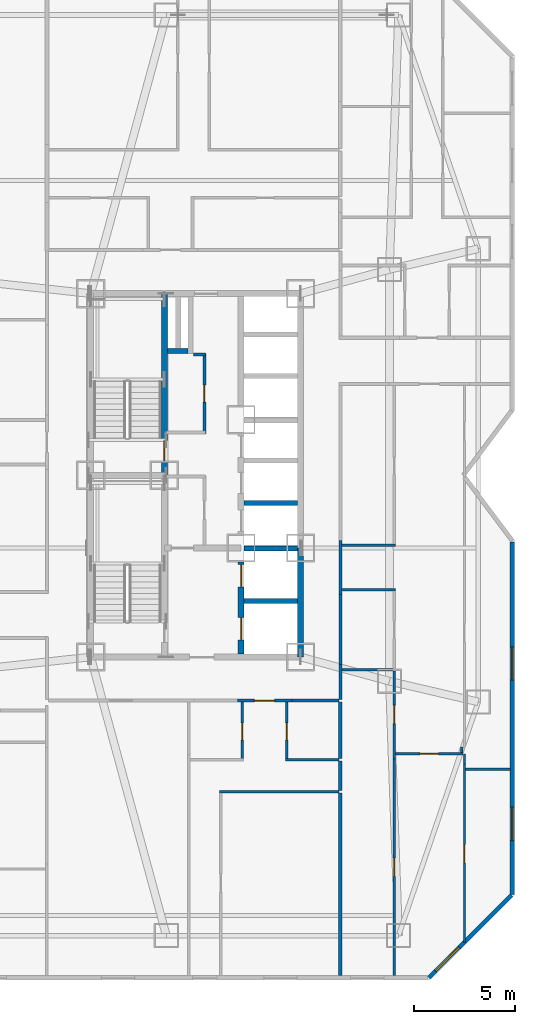
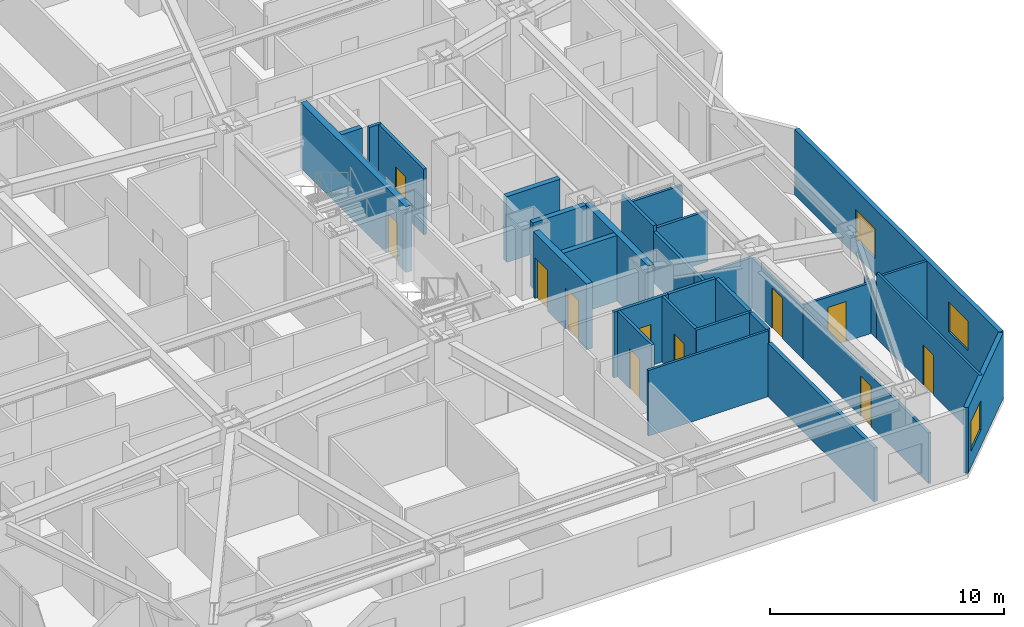
# One storey, part 20 of 25: 33 walls, 11 doors, 3 windows, 14 openings.
"""IFC4 building model written with IfcOpenShell, lengths in metres."""

from ifc_helpers import new_model, si_unit, direction, frame, frame_2d, origin, place, context, subcontext, project, spatial, rectangle, extrude, material, layer, layer_set, type_object, element, fill, save


model = new_model("IFC4")

# Units and contexts
model_context = context("Model", 3, precision=1e-05, world=origin(), true_north=direction((0.0, 1.0)))
body_context = subcontext(model_context, "Body", "Model", "MODEL_VIEW")
ifc_project = project(units=[si_unit("LENGTHUNIT", "METRE"), si_unit("AREAUNIT", "SQUARE_METRE"), si_unit("VOLUMEUNIT", "CUBIC_METRE"), si_unit("PLANEANGLEUNIT", "RADIAN"), si_unit("MASSUNIT", "GRAM", prefix="KILO")], contexts=[model_context])

# Site, building, storey
site_placement = place(None, origin())
site = spatial("IfcSite", under=ifc_project, at=site_placement, CompositionType="ELEMENT")
building_placement = place(site_placement, origin())
building = spatial("IfcBuilding", under=site, at=building_placement, Name="Khamvora Tower", CompositionType="ELEMENT")
storey_placement = place(building_placement, frame((0.0, 0.0, 36.949951171875)))
storey = spatial("IfcBuildingStorey", under=building, at=storey_placement, Name="L08", CompositionType="ELEMENT", Elevation=36.949951171875)

# Wall
ifc_material_1 = material(Name="Concrete C50/60", Category="concrete")
ifc_layer_1 = layer(ifc_material_1, 0.300048828125)
ifc_layer_set_1 = layer_set([ifc_layer_1], Name="Concrete C50/60")
wall_type_1 = type_object("IfcWallType", Name="WAL-CORE-300", PredefinedType="SHEAR", material=ifc_layer_set_1)
wall_1_placement = place(storey_placement, frame((39.39990234375, 19.0, 0.0), z_axis=(0.0, 0.0, 1.0), x_axis=(0.0, 1.0, 0.0)))
element("IfcWall", 1, at=wall_1_placement, inside=storey, type_object=wall_type_1, Name="L08 central core east south wall", PredefinedType="SHEAR", context=body_context, shape_type="SweptSolid", body=[
    extrude(rectangle(XDim=5.39990234375, YDim=0.300048828125, at=frame_2d((2.699951171875, 0.0))), origin(), (0.0, 0.0, 1.0), 3.429931640625),
])

# Wall, opening, door
wall_2_placement = place(storey_placement, frame((32.64990234375, 28.0, 0.0), z_axis=(0.0, 0.0, 1.0), x_axis=(0.0, 1.0, 0.0)))
wall_2 = element("IfcWall", 2, at=wall_2_placement, inside=storey, type_object=wall_type_1, Name="L08 central core stair north spine wall", PredefinedType="SHEAR", context=body_context, shape_type="SweptSolid", body=[
    extrude(rectangle(XDim=9.0, YDim=0.300048828125, at=frame_2d((4.5, 0.0))), origin(), (0.0, 0.0, 1.0), 3.429931640625),
])
opening_1_placement = place(wall_2_placement, frame((0.719970703125, 0.0, 0.0)))
opening_1 = element("IfcOpeningElement", 3, at=opening_1_placement, cuts=wall_2, Name="Opening D-ST1", PredefinedType="OPENING", context=body_context, shape_type="SweptSolid", body=[
    extrude(rectangle(XDim=1.0, YDim=2.14990234375, at=frame_2d((0.5, 1.074951171875))), frame((0.0, 0.159912109375, 0.0), z_axis=(0.0, -1.0, 0.0), x_axis=(1.0, 0.0, 0.0)), (0.0, 0.0, 1.0), 0.320068359375),
])
ifc_material_2 = material(Name="Powder-Coated Steel and Hardwood Leaf", Category="steel")
door_type_1 = type_object("IfcDoorType", Name="DOR-STAIR-1000", OperationType="NOTDEFINED", PredefinedType="DOOR", material=ifc_material_2)
door_1_placement = place(opening_1_placement, origin())
door_1 = element("IfcDoor", 4, at=door_1_placement, inside=storey, type_object=door_type_1, Name="L08 exit stair ST-02 fire door", OperationType="SINGLE_SWING_RIGHT", OverallHeight=2.14990234375, OverallWidth=1.0, PredefinedType="DOOR", context=body_context, shape_type="SweptSolid", body=[
    extrude(rectangle(XDim=1.0, YDim=2.14990234375, at=frame_2d((0.5, 1.074951171875))), frame((0.0, 0.02490234375, 0.0), z_axis=(0.0, -1.0, 0.0), x_axis=(1.0, 0.0, 0.0)), (0.0, 0.0, 1.0), 0.050048828125),
])
fill(opening_1, door_1)

# Wall, openings, doors
wall_3_placement = place(storey_placement, frame((36.449951171875, 19.154052734375, 0.0), z_axis=(0.0, 0.0, 1.0), x_axis=(0.0, 1.0, 0.0)))
wall_3 = element("IfcWall", 5, at=wall_3_placement, inside=storey, type_object=wall_type_1, Name="L08 central core lift bank south wall", PredefinedType="SHEAR", context=body_context, shape_type="SweptSolid", body=[
    extrude(rectangle(XDim=4.5458984375, YDim=0.300048828125, at=frame_2d((2.27294921875, 0.0))), origin(), (0.0, 0.0, 1.0), 3.429931640625),
])
opening_2_placement = place(wall_3_placement, frame((0.696044921875, 0.0, 0.0)))
opening_2 = element("IfcOpeningElement", 6, at=opening_2_placement, cuts=wall_3, Name="Opening LD-FFL", PredefinedType="OPENING", context=body_context, shape_type="SweptSolid", body=[
    extrude(rectangle(XDim=1.10009765625, YDim=2.14990234375, at=frame_2d((0.550048828125, 1.074951171875))), frame((0.0, 0.159912109375, 0.0), z_axis=(0.0, -1.0, 0.0), x_axis=(1.0, 0.0, 0.0)), (0.0, 0.0, 1.0), 0.320068359375),
])
opening_3_placement = place(wall_3_placement, frame((3.31591796875, 0.0, 0.0)))
opening_3 = element("IfcOpeningElement", 7, at=opening_3_placement, cuts=wall_3, Name="Opening LD-FFL", PredefinedType="OPENING", context=body_context, shape_type="SweptSolid", body=[
    extrude(rectangle(XDim=1.10009765625, YDim=2.14990234375, at=frame_2d((0.550048828125, 1.074951171875))), frame((0.0, 0.159912109375, 0.0), z_axis=(0.0, -1.0, 0.0), x_axis=(1.0, 0.0, 0.0)), (0.0, 0.0, 1.0), 0.320068359375),
])
door_type_2 = type_object("IfcDoorType", Name="DOR-LIFT-1100", OperationType="SLIDING_TO_LEFT", PredefinedType="DOOR", material=ifc_material_2)
door_2_placement = place(opening_2_placement, origin())
door_2 = element("IfcDoor", 8, at=door_2_placement, inside=storey, type_object=door_type_2, Name="L08 lift landing sliding door FFL-01", OperationType="SLIDING_TO_LEFT", OverallHeight=2.14990234375, OverallWidth=1.10009765625, PredefinedType="DOOR", context=body_context, shape_type="SweptSolid", body=[
    extrude(rectangle(XDim=1.10009765625, YDim=2.14990234375, at=frame_2d((0.550048828125, 1.074951171875))), frame((0.0, 0.02490234375, 0.0), z_axis=(0.0, -1.0, 0.0), x_axis=(1.0, 0.0, 0.0)), (0.0, 0.0, 1.0), 0.050048828125),
])
fill(opening_2, door_2)
door_3_placement = place(opening_3_placement, origin())
door_3 = element("IfcDoor", 9, at=door_3_placement, inside=storey, type_object=door_type_2, Name="L08 lift landing sliding door FFL-02", OperationType="SLIDING_TO_LEFT", OverallHeight=2.14990234375, OverallWidth=1.10009765625, PredefinedType="DOOR", context=body_context, shape_type="SweptSolid", body=[
    extrude(rectangle(XDim=1.10009765625, YDim=2.14990234375, at=frame_2d((0.550048828125, 1.074951171875))), frame((0.0, 0.02490234375, 0.0), z_axis=(0.0, -1.0, 0.0), x_axis=(1.0, 0.0, 0.0)), (0.0, 0.0, 1.0), 0.050048828125),
])
fill(opening_3, door_3)

# Wall, opening, door
ifc_material_3 = material(Name="Fire-Rated Drywall and Steel Stud", Category="steel")
ifc_layer_2 = layer(ifc_material_3, 0.14990234375)
ifc_layer_set_2 = layer_set([ifc_layer_2], Name="Fire-Rated Drywall and Steel Stud")
wall_type_2 = type_object("IfcWallType", Name="WAL-CORR-150", PredefinedType="STANDARD", material=ifc_layer_set_2)
wall_4_placement = place(storey_placement, frame((34.635009765625, 30.052001953125, 0.0), z_axis=(0.0, 0.0, 1.0), x_axis=(0.0, 1.0, 0.0)))
wall_4 = element("IfcWall", 10, at=wall_4_placement, inside=storey, type_object=wall_type_2, Name="L08 interior partition wall 002", PredefinedType="STANDARD", context=body_context, shape_type="SweptSolid", body=[
    extrude(rectangle(XDim=3.988037109375, YDim=0.14990234375, at=frame_2d((1.994140625, 0.0))), origin(), (0.0, 0.0, 1.0), 3.429931640625),
])
opening_4_placement = place(wall_4_placement, frame((1.569091796875, 0.0, 0.0)))
opening_4 = element("IfcOpeningElement", 11, at=opening_4_placement, cuts=wall_4, Name="Opening D-WC1", PredefinedType="OPENING", context=body_context, shape_type="SweptSolid", body=[
    extrude(rectangle(XDim=0.85009765625, YDim=2.10009765625, at=frame_2d((0.425048828125, 1.050048828125))), frame((0.0, 0.0849609375, 0.0), z_axis=(0.0, -1.0, 0.0), x_axis=(1.0, 0.0, 0.0)), (0.0, 0.0, 1.0), 0.169921875),
])
door_type_3 = type_object("IfcDoorType", Name="DOR-WET-850", OperationType="NOTDEFINED", PredefinedType="DOOR", material=ifc_material_2)
door_4_placement = place(opening_4_placement, origin())
door_4 = element("IfcDoor", 12, at=door_4_placement, inside=storey, type_object=door_type_3, Name="L08 interior door PLL-CS1", OperationType="SINGLE_SWING_RIGHT", OverallHeight=2.10009765625, OverallWidth=0.85009765625, PredefinedType="DOOR", context=body_context, shape_type="SweptSolid", body=[
    extrude(rectangle(XDim=0.85009765625, YDim=2.10009765625, at=frame_2d((0.425048828125, 1.050048828125))), frame((0.0, 0.02490234375, 0.0), z_axis=(0.0, -1.0, 0.0), x_axis=(1.0, 0.0, 0.0)), (0.0, 0.0, 1.0), 0.050048828125),
])
fill(opening_4, door_4)

# Wall
wall_5_placement = place(storey_placement, frame((34.699951171875, 33.97509765625, 0.0), z_axis=(0.0, 0.0, 1.0), x_axis=(-1.0, 0.0, 0.0)))
element("IfcWall", 13, at=wall_5_placement, inside=storey, type_object=wall_type_2, Name="L08 interior partition wall 003", PredefinedType="STANDARD", context=body_context, shape_type="SweptSolid", body=[
    extrude(rectangle(XDim=0.599853515625, YDim=0.14990234375, at=frame_2d((0.2998046875, 0.0))), origin(), (0.0, 0.0, 1.0), 3.429931640625),
])

# Wall, opening, door
wall_6_placement = place(storey_placement, frame((38.964111328125, 16.8349609375, 0.0), z_axis=(0.0, 0.0, 1.0), x_axis=(-1.0, 0.0, 0.0)))
wall_6 = element("IfcWall", 14, at=wall_6_placement, inside=storey, type_object=wall_type_2, Name="L08 interior partition wall 024", PredefinedType="STANDARD", context=body_context, shape_type="SweptSolid", body=[
    extrude(rectangle(XDim=2.697998046875, YDim=0.14990234375, at=frame_2d((1.34912109375, 0.0))), origin(), (0.0, 0.0, 1.0), 3.429931640625),
])
opening_5_placement = place(wall_6_placement, frame((0.84912109375, 0.0, 0.0)))
opening_5 = element("IfcOpeningElement", 15, at=opening_5_placement, cuts=wall_6, Name="Opening D-U1", PredefinedType="OPENING", context=body_context, shape_type="SweptSolid", body=[
    extrude(rectangle(XDim=1.0, YDim=2.14990234375, at=frame_2d((0.5, 1.074951171875))), frame((0.0, 0.0849609375, 0.0), z_axis=(0.0, -1.0, 0.0), x_axis=(1.0, 0.0, 0.0)), (0.0, 0.0, 1.0), 0.169921875),
])
door_type_4 = type_object("IfcDoorType", Name="DOR-UNIT-1000", OperationType="NOTDEFINED", PredefinedType="DOOR", material=ifc_material_2)
door_5_placement = place(opening_5_placement, origin())
door_5 = element("IfcDoor", 16, at=door_5_placement, inside=storey, type_object=door_type_4, Name="L08 interior door COR-08SAH", OperationType="SINGLE_SWING_LEFT", OverallHeight=2.14990234375, OverallWidth=1.0, PredefinedType="DOOR", context=body_context, shape_type="SweptSolid", body=[
    extrude(rectangle(XDim=1.0, YDim=2.14990234375, at=frame_2d((0.5, 1.074951171875))), frame((0.0, 0.02490234375, 0.0), z_axis=(0.0, -1.0, 0.0), x_axis=(1.0, 0.0, 0.0)), (0.0, 0.0, 1.0), 0.050048828125),
])
fill(opening_5, door_5)

# Walls
wall_7_placement = place(storey_placement, frame((41.300048828125, 16.8349609375, 0.0), z_axis=(0.0, 0.0, 1.0), x_axis=(-1.0, 0.0, 0.0)))
element("IfcWall", 17, at=wall_7_placement, inside=storey, type_object=wall_type_2, Name="L08 interior partition wall 026", PredefinedType="STANDARD", context=body_context, shape_type="SweptSolid", body=[
    extrude(rectangle(XDim=2.3359375, YDim=0.14990234375, at=frame_2d((1.16796875, 0.0))), origin(), (0.0, 0.0, 1.0), 3.429931640625),
])
wall_8_placement = place(storey_placement, frame((41.364990234375, 18.617919921875, 0.0), z_axis=(0.0, 0.0, 1.0), x_axis=(0.0, -1.0, 0.0)))
element("IfcWall", 18, at=wall_8_placement, inside=storey, type_object=wall_type_2, Name="L08 interior partition wall 030", PredefinedType="STANDARD", context=body_context, shape_type="SweptSolid", body=[
    extrude(rectangle(XDim=1.718017578125, YDim=0.14990234375, at=frame_2d((0.85888671875, 0.0))), origin(), (0.0, 0.0, 1.0), 2.64697265625),
])
wall_9_placement = place(storey_placement, frame((41.364990234375, 24.782958984375, 0.0), z_axis=(0.0, 0.0, 1.0), x_axis=(0.0, -1.0, 0.0)))
element("IfcWall", 19, at=wall_9_placement, inside=storey, type_object=wall_type_2, Name="L08 interior partition wall 032", PredefinedType="STANDARD", context=body_context, shape_type="SweptSolid", body=[
    extrude(rectangle(XDim=2.697998046875, YDim=0.14990234375, at=frame_2d((1.34912109375, 0.0))), origin(), (0.0, 0.0, 1.0), 2.95703125),
])
wall_10_placement = place(storey_placement, frame((41.364990234375, 22.0849609375, 0.0), z_axis=(0.0, 0.0, 1.0), x_axis=(0.0, -1.0, 0.0)))
element("IfcWall", 20, at=wall_10_placement, inside=storey, type_object=wall_type_2, Name="L08 interior partition wall 033", PredefinedType="STANDARD", context=body_context, shape_type="SweptSolid", body=[
    extrude(rectangle(XDim=3.467041015625, YDim=0.14990234375, at=frame_2d((1.7333984375, 0.0))), origin(), (0.0, 0.0, 1.0), 2.64697265625),
])
ifc_material_4 = material(Name="Acoustic Double-Stud Fire Wall", Category="gypsum")
ifc_layer_3 = layer(ifc_material_4, 0.179931640625)
ifc_layer_set_3 = layer_set([ifc_layer_3], Name="Acoustic Double-Stud Fire Wall")
wall_type_3 = type_object("IfcWallType", Name="WAL-CORR-180", PredefinedType="STANDARD", material=ifc_layer_set_3)
wall_11_placement = place(storey_placement, frame((41.364990234375, 13.841064453125, 0.0), z_axis=(0.0, 0.0, 1.0), x_axis=(0.0, -1.0, 0.0)))
element("IfcWall", 21, at=wall_11_placement, inside=storey, type_object=wall_type_3, Name="L08 interior partition wall 129", PredefinedType="STANDARD", context=body_context, shape_type="SweptSolid", body=[
    extrude(rectangle(XDim=1.449951171875, YDim=0.179931640625, at=frame_2d((0.72509765625, 0.0))), origin(), (0.0, 0.0, 1.0), 3.429931640625),
])
wall_12_placement = place(storey_placement, frame((41.364990234375, 16.77001953125, 0.0), z_axis=(0.0, 0.0, 1.0), x_axis=(0.0, -1.0, 0.0)))
element("IfcWall", 22, at=wall_12_placement, inside=storey, type_object=wall_type_3, Name="L08 interior partition wall 130", PredefinedType="STANDARD", context=body_context, shape_type="SweptSolid", body=[
    extrude(rectangle(XDim=2.799072265625, YDim=0.179931640625, at=frame_2d((1.3994140625, 0.0))), origin(), (0.0, 0.0, 1.0), 3.429931640625),
])
wall_13_placement = place(storey_placement, frame((41.364990234375, 12.260986328125, 0.0), z_axis=(0.0, 0.0, 1.0), x_axis=(0.0, -1.0, 0.0)))
element("IfcWall", 23, at=wall_13_placement, inside=storey, type_object=wall_type_3, Name="L08 interior partition wall 131", PredefinedType="STANDARD", context=body_context, shape_type="SweptSolid", body=[
    extrude(rectangle(XDim=9.049072265625, YDim=0.179931640625, at=frame_2d((4.5244140625, 0.0))), origin(), (0.0, 0.0, 1.0), 2.802978515625),
])

# Wall, openings, windows
ifc_material_5 = material(Name="Precast concrete C40/50", Category="concrete")
ifc_layer_4 = layer(ifc_material_5, 0.219970703125)
ifc_layer_set_4 = layer_set([ifc_layer_4], Name="Precast concrete C40/50")
wall_type_4 = type_object("IfcWallType", Name="WAL-EXT-220", PredefinedType="STANDARD", material=ifc_layer_set_4)
wall_14_placement = place(storey_placement, frame((49.889892578125, 24.70703125, 0.0), z_axis=(0.0, 0.0, 1.0), x_axis=(0.0, -1.0, 0.0)))
wall_14 = element("IfcWall", 24, at=wall_14_placement, inside=storey, type_object=wall_type_4, Name="L08 exterior facade wall 12.1", PredefinedType="STANDARD", context=body_context, shape_type="SweptSolid", body=[
    extrude(rectangle(XDim=17.4609375, YDim=0.219970703125, at=frame_2d((8.73046875, 0.0))), origin(), (0.0, 0.0, 1.0), 3.429931640625),
])
opening_6_placement = place(wall_14_placement, frame((13.14697265625, 0.0, 0.85009765625)))
opening_6 = element("IfcOpeningElement", 25, at=opening_6_placement, cuts=wall_14, Name="Opening WN-06", PredefinedType="OPENING", context=body_context, shape_type="SweptSolid", body=[
    extrude(rectangle(XDim=1.64990234375, YDim=1.550048828125, at=frame_2d((0.824951171875, 0.77490234375))), frame((0.0, 0.119873046875, 0.0), z_axis=(0.0, -1.0, 0.0), x_axis=(1.0, 0.0, 0.0)), (0.0, 0.0, 1.0), 0.239990234375),
])
opening_7_placement = place(wall_14_placement, frame((5.200927734375, 0.0, 0.85009765625)))
opening_7 = element("IfcOpeningElement", 26, at=opening_7_placement, cuts=wall_14, Name="Opening WN-06", PredefinedType="OPENING", context=body_context, shape_type="SweptSolid", body=[
    extrude(rectangle(XDim=1.64990234375, YDim=1.550048828125, at=frame_2d((0.824951171875, 0.77490234375))), frame((0.0, 0.119873046875, 0.0), z_axis=(0.0, -1.0, 0.0), x_axis=(1.0, 0.0, 0.0)), (0.0, 0.0, 1.0), 0.239990234375),
])
ifc_material_6 = material(Name="Low-E Laminated Double Glazing", Category="glass")
window_type = type_object("IfcWindowType", Name="WIN-VIS-1650x1550", PartitioningType="SINGLE_PANEL", PredefinedType="WINDOW", material=ifc_material_6)
window_1_placement = place(opening_6_placement, origin())
window_1 = element("IfcWindow", 27, at=window_1_placement, inside=storey, type_object=window_type, Name="L08 vision window 12.1.01", OverallHeight=1.550048828125, OverallWidth=1.64990234375, PartitioningType="SINGLE_PANEL", PredefinedType="WINDOW", context=body_context, shape_type="SweptSolid", body=[
    extrude(rectangle(XDim=1.64990234375, YDim=1.550048828125, at=frame_2d((0.824951171875, 0.77490234375))), frame((0.0, 0.030029296875, 0.0), z_axis=(0.0, -1.0, 0.0), x_axis=(1.0, 0.0, 0.0)), (0.0, 0.0, 1.0), 0.06005859375),
])
fill(opening_6, window_1)
window_2_placement = place(opening_7_placement, origin())
window_2 = element("IfcWindow", 28, at=window_2_placement, inside=storey, type_object=window_type, Name="L08 vision window 12.1.02", OverallHeight=1.550048828125, OverallWidth=1.64990234375, PartitioningType="SINGLE_PANEL", PredefinedType="WINDOW", context=body_context, shape_type="SweptSolid", body=[
    extrude(rectangle(XDim=1.64990234375, YDim=1.550048828125, at=frame_2d((0.824951171875, 0.77490234375))), frame((0.0, 0.030029296875, 0.0), z_axis=(0.0, -1.0, 0.0), x_axis=(1.0, 0.0, 0.0)), (0.0, 0.0, 1.0), 0.06005859375),
])
fill(opening_7, window_2)

# Wall, opening, window
wall_15_placement = place(storey_placement, frame((49.840087890625, 7.196044921875, 0.0), z_axis=(0.0, 0.0, 1.0), x_axis=(-0.707127905562, -0.70708565618, 0.0)))
wall_15 = element("IfcWall", 29, at=wall_15_placement, inside=storey, type_object=wall_type_4, Name="L08 exterior facade wall 13.1", PredefinedType="STANDARD", context=body_context, shape_type="SweptSolid", body=[
    extrude(rectangle(XDim=5.778564453125, YDim=0.219970703125, at=frame_2d((2.88916015625, 0.0))), origin(), (0.0, 0.0, 1.0), 3.429931640625),
])
opening_8_placement = place(wall_15_placement, frame((3.65087890625, 0.0, 0.85009765625)))
opening_8 = element("IfcOpeningElement", 30, at=opening_8_placement, cuts=wall_15, Name="Opening WN-06", PredefinedType="OPENING", context=body_context, shape_type="SweptSolid", body=[
    extrude(rectangle(XDim=1.64990234375, YDim=1.550048828125, at=frame_2d((0.824951171875, 0.77490234375))), frame((0.0, 0.119873046875, 0.0), z_axis=(0.0, -1.0, 0.0), x_axis=(1.0, 0.0, 0.0)), (0.0, 0.0, 1.0), 0.239990234375),
])
window_3_placement = place(opening_8_placement, origin())
window_3 = element("IfcWindow", 31, at=window_3_placement, inside=storey, type_object=window_type, Name="L08 vision window 13.1.01", OverallHeight=1.550048828125, OverallWidth=1.64990234375, PartitioningType="SINGLE_PANEL", PredefinedType="WINDOW", context=body_context, shape_type="SweptSolid", body=[
    extrude(rectangle(XDim=1.64990234375, YDim=1.550048828125, at=frame_2d((0.824951171875, 0.77490234375))), frame((0.0, 0.030029296875, 0.0), z_axis=(0.0, -1.0, 0.0), x_axis=(1.0, 0.0, 0.0)), (0.0, 0.0, 1.0), 0.06005859375),
])
fill(opening_8, window_3)

# Wall
ifc_material_7 = material(Name="Gypsum Plasterboard Partition", Category="gypsum")
ifc_layer_5 = layer(ifc_material_7, 0.1201171875)
ifc_layer_set_5 = layer_set([ifc_layer_5], Name="Gypsum Plasterboard Partition")
wall_type_5 = type_object("IfcWallType", Name="WAL-PART-120", PredefinedType="PARTITIONING", material=ifc_layer_set_5)
wall_16_placement = place(storey_placement, frame((41.300048828125, 12.325927734375, 0.0), z_axis=(0.0, 0.0, 1.0), x_axis=(-1.0, 0.0, 0.0)))
element("IfcWall", 32, at=wall_16_placement, inside=storey, type_object=wall_type_5, Name="L08 interior partition wall 127", PredefinedType="PARTITIONING", context=body_context, shape_type="SweptSolid", body=[
    extrude(rectangle(XDim=5.920166015625, YDim=0.1201171875, at=frame_2d((2.9599609375, 0.0))), origin(), (0.0, 0.0, 1.0), 3.429931640625),
])

# Wall, opening, door
wall_17_placement = place(storey_placement, frame((44.0380859375, 18.303955078125, 0.0), z_axis=(0.0, 0.0, 1.0), x_axis=(0.0, -1.0, 0.0)))
wall_17 = element("IfcWall", 33, at=wall_17_placement, inside=storey, type_object=wall_type_5, Name="L08 interior partition wall 145", PredefinedType="PARTITIONING", context=body_context, shape_type="SweptSolid", body=[
    extrude(rectangle(XDim=4.35107421875, YDim=0.1201171875, at=frame_2d((2.175537109375, 0.0))), origin(), (0.0, 0.0, 1.0), 2.64697265625),
])
opening_9_placement = place(wall_17_placement, frame((1.705078125, 0.0, 0.0)))
opening_9 = element("IfcOpeningElement", 34, at=opening_9_placement, cuts=wall_17, Name="Opening D-RM1", PredefinedType="OPENING", context=body_context, shape_type="SweptSolid", body=[
    extrude(rectangle(XDim=0.89990234375, YDim=2.10009765625, at=frame_2d((0.449951171875, 1.050048828125))), frame((0.0, 0.070068359375, 0.0), z_axis=(0.0, -1.0, 0.0), x_axis=(1.0, 0.0, 0.0)), (0.0, 0.0, 1.0), 0.14013671875),
])
door_type_5 = type_object("IfcDoorType", Name="DOR-ROOM-900", OperationType="NOTDEFINED", PredefinedType="DOOR", material=ifc_material_2)
door_6_placement = place(opening_9_placement, origin())
door_6 = element("IfcDoor", 35, at=door_6_placement, inside=storey, type_object=door_type_5, Name="L08 interior door 08EAW1-08EAH", OperationType="SINGLE_SWING_RIGHT", OverallHeight=2.10009765625, OverallWidth=0.89990234375, PredefinedType="DOOR", context=body_context, shape_type="SweptSolid", body=[
    extrude(rectangle(XDim=0.89990234375, YDim=2.10009765625, at=frame_2d((0.449951171875, 1.050048828125))), frame((0.0, 0.02490234375, 0.0), z_axis=(0.0, -1.0, 0.0), x_axis=(1.0, 0.0, 0.0)), (0.0, 0.0, 1.0), 0.050048828125),
])
fill(opening_9, door_6)

wall_18_placement = place(storey_placement, frame((44.0380859375, 13.952880859375, 0.0), z_axis=(0.0, 0.0, 1.0), x_axis=(0.0, -1.0, 0.0)))
wall_18 = element("IfcWall", 36, at=wall_18_placement, inside=storey, type_object=wall_type_5, Name="L08 interior partition wall 146", PredefinedType="PARTITIONING", context=body_context, shape_type="SweptSolid", body=[
    extrude(rectangle(XDim=10.740966796875, YDim=0.1201171875, at=frame_2d((5.37060546875, 0.0))), origin(), (0.0, 0.0, 1.0), 2.64697265625),
])
opening_10_placement = place(wall_18_placement, frame((4.919921875, 0.0, 0.0)))
opening_10 = element("IfcOpeningElement", 37, at=opening_10_placement, cuts=wall_18, Name="Opening D-RM1", PredefinedType="OPENING", context=body_context, shape_type="SweptSolid", body=[
    extrude(rectangle(XDim=0.89990234375, YDim=2.10009765625, at=frame_2d((0.449951171875, 1.050048828125))), frame((0.0, 0.070068359375, 0.0), z_axis=(0.0, -1.0, 0.0), x_axis=(1.0, 0.0, 0.0)), (0.0, 0.0, 1.0), 0.14013671875),
])
door_7_placement = place(opening_10_placement, origin())
door_7 = element("IfcDoor", 38, at=door_7_placement, inside=storey, type_object=door_type_5, Name="L08 interior door 08EAW1-08EAD", OperationType="SINGLE_SWING_RIGHT", OverallHeight=2.10009765625, OverallWidth=0.89990234375, PredefinedType="DOOR", context=body_context, shape_type="SweptSolid", body=[
    extrude(rectangle(XDim=0.89990234375, YDim=2.10009765625, at=frame_2d((0.449951171875, 1.050048828125))), frame((0.0, 0.02490234375, 0.0), z_axis=(0.0, -1.0, 0.0), x_axis=(1.0, 0.0, 0.0)), (0.0, 0.0, 1.0), 0.050048828125),
])
fill(opening_10, door_7)

wall_19_placement = place(storey_placement, frame((47.452880859375, 14.201904296875, 0.0), z_axis=(0.0, 0.0, 1.0), x_axis=(-1.0, 0.0, 0.0)))
wall_19 = element("IfcWall", 39, at=wall_19_placement, inside=storey, type_object=wall_type_5, Name="L08 interior partition wall 148", PredefinedType="PARTITIONING", context=body_context, shape_type="SweptSolid", body=[
    extrude(rectangle(XDim=3.36083984375, YDim=0.1201171875, at=frame_2d((1.680419921875, 0.0))), origin(), (0.0, 0.0, 1.0), 2.64697265625),
])
opening_11_placement = place(wall_19_placement, frame((1.23095703125, 0.0, 0.0)))
opening_11 = element("IfcOpeningElement", 40, at=opening_11_placement, cuts=wall_19, Name="Opening D-RM1", PredefinedType="OPENING", context=body_context, shape_type="SweptSolid", body=[
    extrude(rectangle(XDim=0.89990234375, YDim=2.10009765625, at=frame_2d((0.449951171875, 1.050048828125))), frame((0.0, 0.070068359375, 0.0), z_axis=(0.0, -1.0, 0.0), x_axis=(1.0, 0.0, 0.0)), (0.0, 0.0, 1.0), 0.14013671875),
])
door_8_placement = place(opening_11_placement, origin())
door_8 = element("IfcDoor", 41, at=door_8_placement, inside=storey, type_object=door_type_5, Name="L08 interior door 08EAH-08EAD", OperationType="SINGLE_SWING_LEFT", OverallHeight=2.10009765625, OverallWidth=0.89990234375, PredefinedType="DOOR", context=body_context, shape_type="SweptSolid", body=[
    extrude(rectangle(XDim=0.89990234375, YDim=2.10009765625, at=frame_2d((0.449951171875, 1.050048828125))), frame((0.0, 0.02490234375, 0.0), z_axis=(0.0, -1.0, 0.0), x_axis=(1.0, 0.0, 0.0)), (0.0, 0.0, 1.0), 0.050048828125),
])
fill(opening_11, door_8)

# Wall
wall_20_placement = place(storey_placement, frame((47.387939453125, 14.5419921875, 0.0), z_axis=(0.0, 0.0, 1.0), x_axis=(0.0, -1.0, 0.0)))
element("IfcWall", 42, at=wall_20_placement, inside=storey, type_object=wall_type_5, Name="L08 interior partition wall 149", PredefinedType="PARTITIONING", context=body_context, shape_type="SweptSolid", body=[
    extrude(rectangle(XDim=0.27490234375, YDim=0.1201171875, at=frame_2d((0.137451171875, 0.0))), origin(), (0.0, 0.0, 1.0), 2.802978515625),
])

# Wall, opening, door
wall_21_placement = place(storey_placement, frame((47.51806640625, 13.68798828125, 0.0), z_axis=(0.0, 0.0, 1.0), x_axis=(0.0, -1.0, 0.0)))
wall_21 = element("IfcWall", 43, at=wall_21_placement, inside=storey, type_object=wall_type_5, Name="L08 interior partition wall 156", PredefinedType="PARTITIONING", context=body_context, shape_type="SweptSolid", body=[
    extrude(rectangle(XDim=8.824951171875, YDim=0.1201171875, at=frame_2d((4.41259765625, 0.0))), origin(), (0.0, 0.0, 1.0), 3.429931640625),
])
opening_12_placement = place(wall_21_placement, frame((3.98291015625, 0.0, 0.0)))
opening_12 = element("IfcOpeningElement", 44, at=opening_12_placement, cuts=wall_21, Name="Opening D-RM1", PredefinedType="OPENING", context=body_context, shape_type="SweptSolid", body=[
    extrude(rectangle(XDim=0.89990234375, YDim=2.10009765625, at=frame_2d((0.449951171875, 1.050048828125))), frame((0.0, 0.070068359375, 0.0), z_axis=(0.0, -1.0, 0.0), x_axis=(1.0, 0.0, 0.0)), (0.0, 0.0, 1.0), 0.14013671875),
])
door_9_placement = place(opening_12_placement, origin())
door_9 = element("IfcDoor", 45, at=door_9_placement, inside=storey, type_object=door_type_5, Name="L08 interior door 08EAD-08EAL", OperationType="SINGLE_SWING_RIGHT", OverallHeight=2.10009765625, OverallWidth=0.89990234375, PredefinedType="DOOR", context=body_context, shape_type="SweptSolid", body=[
    extrude(rectangle(XDim=0.89990234375, YDim=2.10009765625, at=frame_2d((0.449951171875, 1.050048828125))), frame((0.0, 0.02490234375, 0.0), z_axis=(0.0, -1.0, 0.0), x_axis=(1.0, 0.0, 0.0)), (0.0, 0.0, 1.0), 0.050048828125),
])
fill(opening_12, door_9)

# Walls
wall_22_placement = place(storey_placement, frame((47.51806640625, 14.201904296875, 0.0), z_axis=(0.0, 0.0, 1.0), x_axis=(0.0, -1.0, 0.0)))
element("IfcWall", 46, at=wall_22_placement, inside=storey, type_object=wall_type_5, Name="L08 interior partition wall 157", PredefinedType="PARTITIONING", context=body_context, shape_type="SweptSolid", body=[
    extrude(rectangle(XDim=0.513916015625, YDim=0.1201171875, at=frame_2d((0.2568359375, 0.0))), origin(), (0.0, 0.0, 1.0), 2.802978515625),
])
wall_23_placement = place(storey_placement, frame((47.572021484375, 13.43896484375, 0.0), z_axis=(0.0, 0.0, 1.0), x_axis=(1.0, 0.0, 0.0)))
element("IfcWall", 47, at=wall_23_placement, inside=storey, type_object=wall_type_5, Name="L08 interior partition wall 158", PredefinedType="PARTITIONING", context=body_context, shape_type="SweptSolid", body=[
    extrude(rectangle(XDim=2.216064453125, YDim=0.1201171875, at=frame_2d((1.10791015625, 0.0))), origin(), (0.0, 0.0, 1.0), 3.429931640625),
])
ifc_material_8 = material(Name="Concrete C40/50", Category="concrete")
ifc_layer_6 = layer(ifc_material_8, 0.25)
ifc_layer_set_6 = layer_set([ifc_layer_6], Name="Concrete C40/50")
wall_type_6 = type_object("IfcWallType", Name="WAL-PODS-250", PredefinedType="SHEAR", material=ifc_layer_set_6)
for number, where, z_axis, x_axis, name in (
    (48, (36.60400390625, 21.77490234375, 0.0), (0.0, 0.0, 1.0), (1.0, 0.0, 0.0), "L08 lift shaft divider wall FFL-01"),
    (49, (36.60400390625, 24.375, 0.0), (0.0, 0.0, 1.0), (1.0, 0.0, 0.0), "L08 lift shaft divider wall FFL-02"),
    (50, (36.60400390625, 26.625, 0.0), (0.0, 0.0, 1.0), (1.0, 0.0, 0.0), "L08 lift shaft divider wall PL-01"),
):
    element("IfcWall", number, at=place(storey_placement, frame(where, z_axis=z_axis, x_axis=x_axis)), inside=storey, type_object=wall_type_6, Name=name, PredefinedType="SHEAR", context=body_context, shape_type="SweptSolid", body=[
        extrude(rectangle(XDim=2.64208984375, YDim=0.25, at=frame_2d((1.321044921875, 0.0))), origin(), (0.0, 0.0, 1.0), 3.429931640625),
    ])
wall_24_placement = place(storey_placement, frame((32.803955078125, 34.14990234375, 0.0), z_axis=(0.0, 0.0, 1.0), x_axis=(1.0, 0.0, 0.0)))
element("IfcWall", 51, at=wall_24_placement, inside=storey, type_object=wall_type_6, Name="L08 vertical MEP riser shaft south enclosure wall", PredefinedType="SHEAR", context=body_context, shape_type="SweptSolid", body=[
    extrude(rectangle(XDim=1.02197265625, YDim=0.25, at=frame_2d((0.510986328125, 0.0))), origin(), (0.0, 0.0, 1.0), 3.429931640625),
])

# Wall, opening, door
ifc_material_9 = material(Name="Moisture-Resistant Plasterboard Partition", Category="gypsum")
ifc_layer_7 = layer(ifc_material_9, 0.135009765625)
ifc_layer_set_7 = layer_set([ifc_layer_7], Name="Moisture-Resistant Plasterboard Partition")
wall_type_7 = type_object("IfcWallType", Name="WAL-WET-135", PredefinedType="PARTITIONING", material=ifc_layer_set_7)
wall_25_placement = place(storey_placement, frame((36.514892578125, 13.841064453125, 0.0), z_axis=(0.0, 0.0, 1.0), x_axis=(0.0, 1.0, 0.0)))
wall_25 = element("IfcWall", 52, at=wall_25_placement, inside=storey, type_object=wall_type_7, Name="L08 interior partition wall 124", PredefinedType="PARTITIONING", context=body_context, shape_type="SweptSolid", body=[
    extrude(rectangle(XDim=2.928955078125, YDim=0.135009765625, at=frame_2d((1.46435546875, 0.0))), origin(), (0.0, 0.0, 1.0), 3.429931640625),
])
opening_13_placement = place(wall_25_placement, frame((1.0390625, 0.0, 0.0)))
opening_13 = element("IfcOpeningElement", 53, at=opening_13_placement, cuts=wall_25, Name="Opening D-WC1", PredefinedType="OPENING", context=body_context, shape_type="SweptSolid", body=[
    extrude(rectangle(XDim=0.85009765625, YDim=2.10009765625, at=frame_2d((0.425048828125, 1.050048828125))), frame((0.0, 0.077392578125, 0.0), z_axis=(0.0, -1.0, 0.0), x_axis=(1.0, 0.0, 0.0)), (0.0, 0.0, 1.0), 0.155029296875),
])
door_10_placement = place(opening_13_placement, origin())
door_10 = element("IfcDoor", 54, at=door_10_placement, inside=storey, type_object=door_type_3, Name="L08 interior door 08SAH-08SAB", OperationType="SINGLE_SWING_RIGHT", OverallHeight=2.10009765625, OverallWidth=0.85009765625, PredefinedType="DOOR", context=body_context, shape_type="SweptSolid", body=[
    extrude(rectangle(XDim=0.85009765625, YDim=2.10009765625, at=frame_2d((0.425048828125, 1.050048828125))), frame((0.0, 0.02490234375, 0.0), z_axis=(0.0, -1.0, 0.0), x_axis=(1.0, 0.0, 0.0)), (0.0, 0.0, 1.0), 0.050048828125),
])
fill(opening_13, door_10)

wall_26_placement = place(storey_placement, frame((38.715087890625, 16.77001953125, 0.0), z_axis=(0.0, 0.0, 1.0), x_axis=(0.0, -1.0, 0.0)))
wall_26 = element("IfcWall", 55, at=wall_26_placement, inside=storey, type_object=wall_type_7, Name="L08 interior partition wall 125", PredefinedType="PARTITIONING", context=body_context, shape_type="SweptSolid", body=[
    extrude(rectangle(XDim=2.928955078125, YDim=0.135009765625, at=frame_2d((1.46435546875, 0.0))), origin(), (0.0, 0.0, 1.0), 3.429931640625),
])
opening_14_placement = place(wall_26_placement, frame((1.0390625, 0.0, 0.0)))
opening_14 = element("IfcOpeningElement", 56, at=opening_14_placement, cuts=wall_26, Name="Opening D-RM2", PredefinedType="OPENING", context=body_context, shape_type="SweptSolid", body=[
    extrude(rectangle(XDim=0.85009765625, YDim=2.10009765625, at=frame_2d((0.425048828125, 1.050048828125))), frame((0.0, 0.077392578125, 0.0), z_axis=(0.0, -1.0, 0.0), x_axis=(1.0, 0.0, 0.0)), (0.0, 0.0, 1.0), 0.155029296875),
])
door_type_6 = type_object("IfcDoorType", Name="DOR-ROOM-850", OperationType="NOTDEFINED", PredefinedType="DOOR", material=ifc_material_2)
door_11_placement = place(opening_14_placement, origin())
door_11 = element("IfcDoor", 57, at=door_11_placement, inside=storey, type_object=door_type_6, Name="L08 interior door 08SAH-08SAK", OperationType="SINGLE_SWING_LEFT", OverallHeight=2.10009765625, OverallWidth=0.85009765625, PredefinedType="DOOR", context=body_context, shape_type="SweptSolid", body=[
    extrude(rectangle(XDim=0.85009765625, YDim=2.10009765625, at=frame_2d((0.425048828125, 1.050048828125))), frame((0.0, 0.02490234375, 0.0), z_axis=(0.0, -1.0, 0.0), x_axis=(1.0, 0.0, 0.0)), (0.0, 0.0, 1.0), 0.050048828125),
])
fill(opening_14, door_11)

# Walls
wall_27_placement = place(storey_placement, frame((38.64990234375, 13.906005859375, 0.0), z_axis=(0.0, 0.0, 1.0), x_axis=(1.0, 0.0, 0.0)))
element("IfcWall", 58, at=wall_27_placement, inside=storey, type_object=wall_type_7, Name="L08 interior partition wall 126", PredefinedType="PARTITIONING", context=body_context, shape_type="SweptSolid", body=[
    extrude(rectangle(XDim=2.650146484375, YDim=0.135009765625, at=frame_2d((1.3251953125, 0.0))), origin(), (0.0, 0.0, 1.0), 3.429931640625),
])
wall_28_placement = place(storey_placement, frame((41.431884765625, 18.368896484375, 0.0), z_axis=(0.0, 0.0, 1.0), x_axis=(1.0, 0.0, 0.0)))
element("IfcWall", 59, at=wall_28_placement, inside=storey, type_object=wall_type_7, Name="L08 interior partition wall 147", PredefinedType="PARTITIONING", context=body_context, shape_type="SweptSolid", body=[
    extrude(rectangle(XDim=2.541015625, YDim=0.135009765625, at=frame_2d((1.2705078125, 0.0))), origin(), (0.0, 0.0, 1.0), 2.64697265625),
])
for number, where, z_axis, x_axis, name in (
    (60, (44.10302734375, 22.333984375, 0.0), (0.0, 0.0, 1.0), (-1.0, 0.0, 0.0), "L08 interior partition wall 151"),
    (61, (41.431884765625, 24.533935546875, 0.0), (0.0, 0.0, 1.0), (1.0, 0.0, 0.0), "L08 interior partition wall 152"),
):
    element("IfcWall", number, at=place(storey_placement, frame(where, z_axis=z_axis, x_axis=x_axis)), inside=storey, type_object=wall_type_7, Name=name, PredefinedType="PARTITIONING", context=body_context, shape_type="SweptSolid", body=[
        extrude(rectangle(XDim=2.671142578125, YDim=0.135009765625, at=frame_2d((1.33544921875, 0.0))), origin(), (0.0, 0.0, 1.0), 2.64697265625),
    ])

save(model, "model.ifc")
